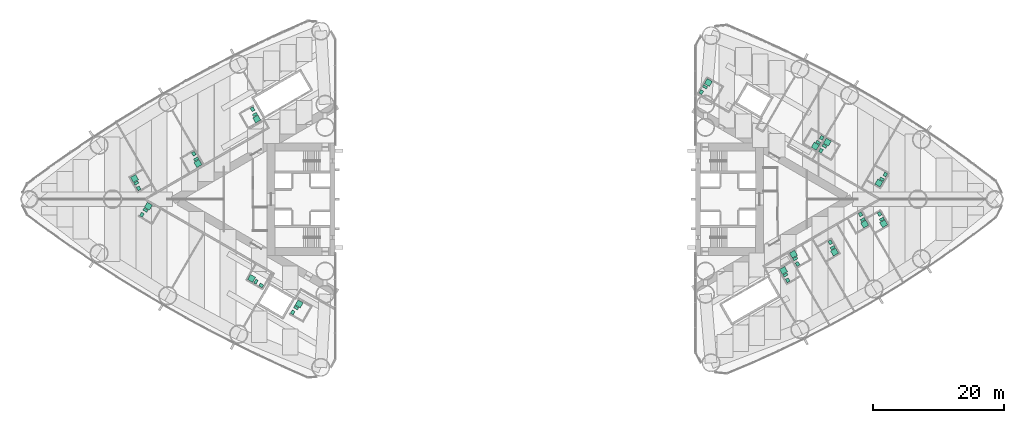
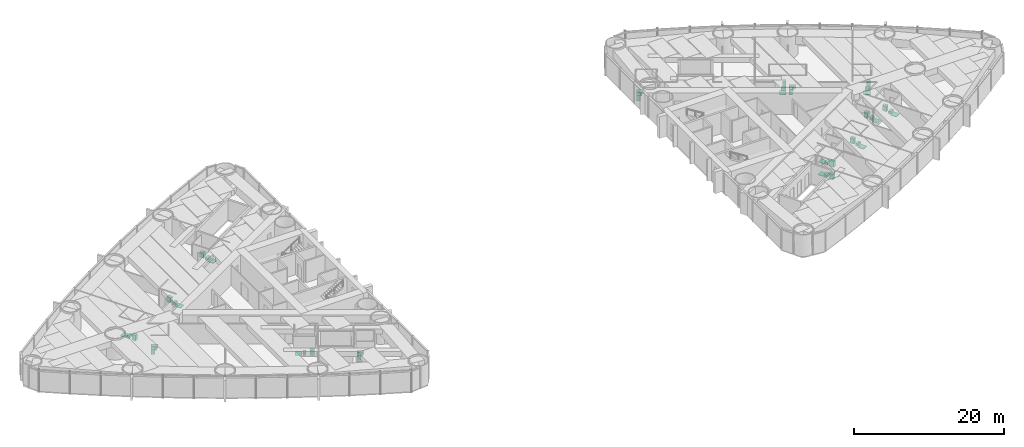
# One storey, part 19 of 19: 19 sanitary terminals.
"""IFC4 building model written with IfcOpenShell, lengths in metres."""

from ifc_helpers import new_model, si_unit, direction, frame, origin, origin_2d, place, context, subcontext, project, spatial, rectangle, extrude, material, type_object, element, save


model = new_model("IFC4")

# Units and contexts
model_context = context("Model", 3, precision=1e-05, world=origin(), true_north=direction((0.0, 1.0)))
body_context = subcontext(model_context, "Body", "Model", "MODEL_VIEW")
ifc_project = project(units=[si_unit("LENGTHUNIT", "METRE"), si_unit("AREAUNIT", "SQUARE_METRE"), si_unit("VOLUMEUNIT", "CUBIC_METRE"), si_unit("PLANEANGLEUNIT", "RADIAN"), si_unit("MASSUNIT", "GRAM", prefix="KILO")], contexts=[model_context])

# Site, building, storey
site_placement = place(None, origin())
site = spatial("IfcSite", under=ifc_project, at=site_placement, CompositionType="ELEMENT")
building_placement = place(site_placement, origin())
building = spatial("IfcBuilding", under=site, at=building_placement, Name="Lancet Gate Hotel", CompositionType="ELEMENT")
storey_placement = place(building_placement, frame((0.0, 0.0, 63.5)))
storey = spatial("IfcBuildingStorey", under=building, at=storey_placement, Name="L16", CompositionType="ELEMENT", Elevation=63.5)

# Sanitary terminals
ifc_material_1 = material(Name="Vitreous china sanitary ware")
sanitary_terminal_type_1 = type_object("IfcSanitaryTerminalType", Name="En-suite sanitary set (shower, WC, basin)", PredefinedType="USERDEFINED", material=ifc_material_1)
sanitary_terminal_1_placement = place(storey_placement, frame((-48.470458984375, 5.448974609375, 0.0), z_axis=(0.0, 0.0, 1.0), x_axis=(1.0, 0.0, 0.0)))
element("IfcSanitaryTerminal", 1, at=sanitary_terminal_1_placement, inside=storey, type_object=sanitary_terminal_type_1, Name="En-suite sanitary set (shower, WC, basin) 1603", ObjectType="EN-SUITE SANITARY SET", PredefinedType="USERDEFINED", context=body_context, shape_type="SweptSolid", body=[
    extrude(rectangle(XDim=0.89990234375, YDim=0.89990234375, at=origin_2d()), frame((0.0, 0.0, 0.0), z_axis=(0.0, 0.0, 1.0), x_axis=(0.5, -0.866025403784, 0.0)), (0.0, 0.0, 1.0), 0.050048828125),
    extrude(rectangle(XDim=0.39990234375, YDim=0.699951171875, at=origin_2d()), frame((-0.2783203125, 0.68212890625, 0.0), z_axis=(0.0, 0.0, 1.0), x_axis=(0.5, -0.866025403784, 0.0)), (0.0, 0.0, 1.0), 0.39990234375),
    extrude(rectangle(XDim=0.60009765625, YDim=0.5, at=origin_2d()), frame((-0.6318359375, 1.494384765625, 0.0), z_axis=(0.0, 0.0, 1.0), x_axis=(0.5, -0.866025403784, 0.0)), (0.0, 0.0, 1.0), 0.85009765625),
])
sanitary_terminal_2_placement = place(storey_placement, frame((-58.160888671875, 3.156494140625, 0.0), z_axis=(0.0, 0.0, 1.0), x_axis=(1.0, 0.0, 0.0)))
element("IfcSanitaryTerminal", 2, at=sanitary_terminal_2_placement, inside=storey, type_object=sanitary_terminal_type_1, Name="En-suite sanitary set (shower, WC, basin) 1604", ObjectType="EN-SUITE SANITARY SET", PredefinedType="USERDEFINED", context=body_context, shape_type="SweptSolid", body=[
    extrude(rectangle(XDim=0.89990234375, YDim=0.89990234375, at=origin_2d()), frame((0.0, 0.0, 0.0), z_axis=(0.0, 0.0, 1.0), x_axis=(-0.5, 0.866025403784, 0.0)), (0.0, 0.0, 1.0), 0.050048828125),
    extrude(rectangle(XDim=0.39990234375, YDim=0.699951171875, at=origin_2d()), frame((0.278564453125, -0.68212890625, 0.0), z_axis=(0.0, 0.0, 1.0), x_axis=(-0.5, 0.866025403784, 0.0)), (0.0, 0.0, 1.0), 0.39990234375),
    extrude(rectangle(XDim=0.60009765625, YDim=0.5, at=origin_2d()), frame((0.6318359375, -1.494140625, 0.0), z_axis=(0.0, 0.0, 1.0), x_axis=(-0.5, 0.866025403784, 0.0)), (0.0, 0.0, 1.0), 0.85009765625),
])
sanitary_terminal_3_placement = place(storey_placement, frame((-56.0458984375, -1.0751953125, 0.0), z_axis=(0.0, 0.0, 1.0), x_axis=(1.0, 0.0, 0.0)))
element("IfcSanitaryTerminal", 3, at=sanitary_terminal_3_placement, inside=storey, type_object=sanitary_terminal_type_1, Name="En-suite sanitary set (shower, WC, basin) 1605", ObjectType="EN-SUITE SANITARY SET", PredefinedType="USERDEFINED", context=body_context, shape_type="SweptSolid", body=[
    extrude(rectangle(XDim=0.89990234375, YDim=0.89990234375, at=origin_2d()), frame((0.0, 0.0, 0.0), z_axis=(0.0, 0.0, 1.0), x_axis=(0.5, 0.866025403784, 0.0)), (0.0, 0.0, 1.0), 0.050048828125),
    extrude(rectangle(XDim=0.39990234375, YDim=0.699951171875, at=origin_2d()), frame((-0.45166015625, -0.582275390625, 0.0), z_axis=(0.0, 0.0, 1.0), x_axis=(0.5, 0.866025403784, 0.0)), (0.0, 0.0, 1.0), 0.39990234375),
    extrude(rectangle(XDim=0.60009765625, YDim=0.5, at=origin_2d()), frame((-0.978271484375, -1.294189453125, 0.0), z_axis=(0.0, 0.0, 1.0), x_axis=(0.5, 0.866025403784, 0.0)), (0.0, 0.0, 1.0), 0.85009765625),
])
sanitary_terminal_4_placement = place(storey_placement, frame((-39.488525390625, 12.251220703125, 0.0), z_axis=(0.0, 0.0, 1.0), x_axis=(1.0, 0.0, 0.0)))
element("IfcSanitaryTerminal", 4, at=sanitary_terminal_4_placement, inside=storey, type_object=sanitary_terminal_type_1, Name="En-suite sanitary set (shower, WC, basin) 1602", ObjectType="EN-SUITE SANITARY SET", PredefinedType="USERDEFINED", context=body_context, shape_type="SweptSolid", body=[
    extrude(rectangle(XDim=0.89990234375, YDim=0.89990234375, at=origin_2d()), frame((0.0, 0.0, 0.0), z_axis=(0.0, 0.0, 1.0), x_axis=(0.5, -0.866025403784, 0.0)), (0.0, 0.0, 1.0), 0.050048828125),
    extrude(rectangle(XDim=0.39990234375, YDim=0.699951171875, at=origin_2d()), frame((-0.2783203125, 0.68212890625, 0.0), z_axis=(0.0, 0.0, 1.0), x_axis=(0.5, -0.866025403784, 0.0)), (0.0, 0.0, 1.0), 0.39990234375),
    extrude(rectangle(XDim=0.60009765625, YDim=0.5, at=origin_2d()), frame((-0.6318359375, 1.494384765625, 0.0), z_axis=(0.0, 0.0, 1.0), x_axis=(0.5, -0.866025403784, 0.0)), (0.0, 0.0, 1.0), 0.85009765625),
])
sanitary_terminal_5_placement = place(storey_placement, frame((-33.0107421875, -15.9912109375, 0.0), z_axis=(0.0, 0.0, 1.0), x_axis=(1.0, 0.0, 0.0)))
element("IfcSanitaryTerminal", 5, at=sanitary_terminal_5_placement, inside=storey, type_object=sanitary_terminal_type_1, Name="En-suite sanitary set (shower, WC, basin) 1608", ObjectType="EN-SUITE SANITARY SET", PredefinedType="USERDEFINED", context=body_context, shape_type="SweptSolid", body=[
    extrude(rectangle(XDim=0.89990234375, YDim=0.89990234375, at=origin_2d()), frame((0.0, 0.0, 0.0), z_axis=(0.0, 0.0, 1.0), x_axis=(0.5, 0.866025403784, 0.0)), (0.0, 0.0, 1.0), 0.050048828125),
    extrude(rectangle(XDim=0.39990234375, YDim=0.699951171875, at=origin_2d()), frame((-0.45166015625, -0.582275390625, 0.0), z_axis=(0.0, 0.0, 1.0), x_axis=(0.5, 0.866025403784, 0.0)), (0.0, 0.0, 1.0), 0.39990234375),
    extrude(rectangle(XDim=0.60009765625, YDim=0.5, at=origin_2d()), frame((-0.978271484375, -1.294189453125, 0.0), z_axis=(0.0, 0.0, 1.0), x_axis=(0.5, 0.866025403784, 0.0)), (0.0, 0.0, 1.0), 0.85009765625),
])
sanitary_terminal_6_placement = place(storey_placement, frame((42.490966796875, -8.401123046875, 0.0), z_axis=(0.0, 0.0, 1.0), x_axis=(1.0, 0.0, 0.0)))
element("IfcSanitaryTerminal", 6, at=sanitary_terminal_6_placement, inside=storey, type_object=sanitary_terminal_type_1, Name="En-suite sanitary set (shower, WC, basin) 1654", ObjectType="EN-SUITE SANITARY SET", PredefinedType="USERDEFINED", context=body_context, shape_type="SweptSolid", body=[
    extrude(rectangle(XDim=0.89990234375, YDim=0.89990234375, at=origin_2d()), frame((0.0, 0.0, 0.0), z_axis=(0.0, 0.0, 1.0), x_axis=(-0.5, 0.866025403784, 0.0)), (0.0, 0.0, 1.0), 0.050048828125),
    extrude(rectangle(XDim=0.39990234375, YDim=0.699951171875, at=origin_2d()), frame((0.2783203125, -0.682373046875, 0.0), z_axis=(0.0, 0.0, 1.0), x_axis=(-0.5, 0.866025403784, 0.0)), (0.0, 0.0, 1.0), 0.39990234375),
    extrude(rectangle(XDim=0.60009765625, YDim=0.5, at=origin_2d()), frame((0.6318359375, -1.494384765625, 0.0), z_axis=(0.0, 0.0, 1.0), x_axis=(-0.5, 0.866025403784, 0.0)), (0.0, 0.0, 1.0), 0.85009765625),
])
sanitary_terminal_7_placement = place(storey_placement, frame((48.767578125, -8.07958984375, 0.0), z_axis=(0.0, 0.0, 1.0), x_axis=(1.0, 0.0, 0.0)))
element("IfcSanitaryTerminal", 7, at=sanitary_terminal_7_placement, inside=storey, type_object=sanitary_terminal_type_1, Name="En-suite sanitary set (shower, WC, basin) 1655", ObjectType="EN-SUITE SANITARY SET", PredefinedType="USERDEFINED", context=body_context, shape_type="SweptSolid", body=[
    extrude(rectangle(XDim=0.89990234375, YDim=0.89990234375, at=origin_2d()), frame((0.0, 0.0, 0.0), z_axis=(0.0, 0.0, 1.0), x_axis=(0.5, -0.866025403784, 0.0)), (0.0, 0.0, 1.0), 0.050048828125),
    extrude(rectangle(XDim=0.39990234375, YDim=0.699951171875, at=origin_2d()), frame((-0.2783203125, 0.68212890625, 0.0), z_axis=(0.0, 0.0, 1.0), x_axis=(0.5, -0.866025403784, 0.0)), (0.0, 0.0, 1.0), 0.39990234375),
    extrude(rectangle(XDim=0.60009765625, YDim=0.5, at=origin_2d()), frame((-0.631591796875, 1.494140625, 0.0), z_axis=(0.0, 0.0, 1.0), x_axis=(0.5, -0.866025403784, 0.0)), (0.0, 0.0, 1.0), 0.85009765625),
])
sanitary_terminal_8_placement = place(storey_placement, frame((53.37109375, -3.805419921875, 0.0), z_axis=(0.0, 0.0, 1.0), x_axis=(1.0, 0.0, 0.0)))
element("IfcSanitaryTerminal", 8, at=sanitary_terminal_8_placement, inside=storey, type_object=sanitary_terminal_type_1, Name="En-suite sanitary set (shower, WC, basin) 1656", ObjectType="EN-SUITE SANITARY SET", PredefinedType="USERDEFINED", context=body_context, shape_type="SweptSolid", body=[
    extrude(rectangle(XDim=0.89990234375, YDim=0.89990234375, at=origin_2d()), frame((0.0, 0.0, 0.0), z_axis=(0.0, 0.0, 1.0), x_axis=(0.5, -0.866025403784, 0.0)), (0.0, 0.0, 1.0), 0.050048828125),
    extrude(rectangle(XDim=0.39990234375, YDim=0.699951171875, at=origin_2d()), frame((-0.2783203125, 0.68212890625, 0.0), z_axis=(0.0, 0.0, 1.0), x_axis=(0.5, -0.866025403784, 0.0)), (0.0, 0.0, 1.0), 0.39990234375),
    extrude(rectangle(XDim=0.60009765625, YDim=0.5, at=origin_2d()), frame((-0.6318359375, 1.494384765625, 0.0), z_axis=(0.0, 0.0, 1.0), x_axis=(0.5, -0.866025403784, 0.0)), (0.0, 0.0, 1.0), 0.85009765625),
])
sanitary_terminal_9_placement = place(storey_placement, frame((56.279541015625, -3.742919921875, 0.0), z_axis=(0.0, 0.0, 1.0), x_axis=(1.0, 0.0, 0.0)))
element("IfcSanitaryTerminal", 9, at=sanitary_terminal_9_placement, inside=storey, type_object=sanitary_terminal_type_1, Name="En-suite sanitary set (shower, WC, basin) 1657", ObjectType="EN-SUITE SANITARY SET", PredefinedType="USERDEFINED", context=body_context, shape_type="SweptSolid", body=[
    extrude(rectangle(XDim=0.89990234375, YDim=0.89990234375, at=origin_2d()), frame((0.0, 0.0, 0.0), z_axis=(0.0, 0.0, 1.0), x_axis=(0.5, -0.866025403784, 0.0)), (0.0, 0.0, 1.0), 0.050048828125),
    extrude(rectangle(XDim=0.39990234375, YDim=0.699951171875, at=origin_2d()), frame((-0.2783203125, 0.682373046875, 0.0), z_axis=(0.0, 0.0, 1.0), x_axis=(0.5, -0.866025403784, 0.0)), (0.0, 0.0, 1.0), 0.39990234375),
    extrude(rectangle(XDim=0.60009765625, YDim=0.5, at=origin_2d()), frame((-0.6318359375, 1.494384765625, 0.0), z_axis=(0.0, 0.0, 1.0), x_axis=(0.5, -0.866025403784, 0.0)), (0.0, 0.0, 1.0), 0.85009765625),
])
sanitary_terminal_10_placement = place(storey_placement, frame((55.549560546875, 2.478515625, 0.0), z_axis=(0.0, 0.0, 1.0), x_axis=(1.0, 0.0, 0.0)))
element("IfcSanitaryTerminal", 10, at=sanitary_terminal_10_placement, inside=storey, type_object=sanitary_terminal_type_1, Name="En-suite sanitary set (shower, WC, basin) 1658", ObjectType="EN-SUITE SANITARY SET", PredefinedType="USERDEFINED", context=body_context, shape_type="SweptSolid", body=[
    extrude(rectangle(XDim=0.89990234375, YDim=0.89990234375, at=origin_2d()), frame((0.0, 0.0, 0.0), z_axis=(0.0, 0.0, 1.0), x_axis=(-0.5, -0.866025403784, 0.0)), (0.0, 0.0, 1.0), 0.050048828125),
    extrude(rectangle(XDim=0.39990234375, YDim=0.699951171875, at=origin_2d()), frame((0.45166015625, 0.58203125, 0.0), z_axis=(0.0, 0.0, 1.0), x_axis=(-0.5, -0.866025403784, 0.0)), (0.0, 0.0, 1.0), 0.39990234375),
    extrude(rectangle(XDim=0.60009765625, YDim=0.5, at=origin_2d()), frame((0.97802734375, 1.294189453125, 0.0), z_axis=(0.0, 0.0, 1.0), x_axis=(-0.5, -0.866025403784, 0.0)), (0.0, 0.0, 1.0), 0.85009765625),
])
sanitary_terminal_11_placement = place(storey_placement, frame((47.676513671875, 8.709716796875, 0.0), z_axis=(0.0, 0.0, 1.0), x_axis=(1.0, 0.0, 0.0)))
element("IfcSanitaryTerminal", 11, at=sanitary_terminal_11_placement, inside=storey, type_object=sanitary_terminal_type_1, Name="En-suite sanitary set (shower, WC, basin) 1659", ObjectType="EN-SUITE SANITARY SET", PredefinedType="USERDEFINED", context=body_context, shape_type="SweptSolid", body=[
    extrude(rectangle(XDim=0.89990234375, YDim=0.89990234375, at=origin_2d()), frame((0.0, 0.0, 0.0), z_axis=(0.0, 0.0, 1.0), x_axis=(0.5, 0.866025403784, 0.0)), (0.0, 0.0, 1.0), 0.050048828125),
    extrude(rectangle(XDim=0.39990234375, YDim=0.699951171875, at=origin_2d()), frame((-0.45166015625, -0.582275390625, 0.0), z_axis=(0.0, 0.0, 1.0), x_axis=(0.5, 0.866025403784, 0.0)), (0.0, 0.0, 1.0), 0.39990234375),
    extrude(rectangle(XDim=0.60009765625, YDim=0.5, at=origin_2d()), frame((-0.978271484375, -1.29443359375, 0.0), z_axis=(0.0, 0.0, 1.0), x_axis=(0.5, 0.866025403784, 0.0)), (0.0, 0.0, 1.0), 0.85009765625),
])
sanitary_terminal_12_placement = place(storey_placement, frame((45.829345703125, 8.09033203125, 0.0), z_axis=(0.0, 0.0, 1.0), x_axis=(1.0, 0.0, 0.0)))
element("IfcSanitaryTerminal", 12, at=sanitary_terminal_12_placement, inside=storey, type_object=sanitary_terminal_type_1, Name="En-suite sanitary set (shower, WC, basin) 1661", ObjectType="EN-SUITE SANITARY SET", PredefinedType="USERDEFINED", context=body_context, shape_type="SweptSolid", body=[
    extrude(rectangle(XDim=0.89990234375, YDim=0.89990234375, at=origin_2d()), frame((0.0, 0.0, 0.0), z_axis=(0.0, 0.0, 1.0), x_axis=(-0.5, -0.866025403784, 0.0)), (0.0, 0.0, 1.0), 0.050048828125),
    extrude(rectangle(XDim=0.39990234375, YDim=0.699951171875, at=origin_2d()), frame((0.45166015625, 0.582275390625, 0.0), z_axis=(0.0, 0.0, 1.0), x_axis=(-0.5, -0.866025403784, 0.0)), (0.0, 0.0, 1.0), 0.39990234375),
    extrude(rectangle(XDim=0.60009765625, YDim=0.5, at=origin_2d()), frame((0.978271484375, 1.294189453125, 0.0), z_axis=(0.0, 0.0, 1.0), x_axis=(-0.5, -0.866025403784, 0.0)), (0.0, 0.0, 1.0), 0.85009765625),
])
sanitary_terminal_13_placement = place(storey_placement, frame((40.982666015625, -10.888671875, 0.0), z_axis=(0.0, 0.0, 1.0), x_axis=(1.0, 0.0, 0.0)))
element("IfcSanitaryTerminal", 13, at=sanitary_terminal_13_placement, inside=storey, type_object=sanitary_terminal_type_1, Name="En-suite sanitary set (shower, WC, basin) 1653", ObjectType="EN-SUITE SANITARY SET", PredefinedType="USERDEFINED", context=body_context, shape_type="SweptSolid", body=[
    extrude(rectangle(XDim=0.89990234375, YDim=0.89990234375, at=origin_2d()), frame((0.0, 0.0, 0.0), z_axis=(0.0, 0.0, 1.0), x_axis=(-0.5, 0.866025403784, 0.0)), (0.0, 0.0, 1.0), 0.050048828125),
    extrude(rectangle(XDim=0.39990234375, YDim=0.699951171875, at=origin_2d()), frame((0.2783203125, -0.68212890625, 0.0), z_axis=(0.0, 0.0, 1.0), x_axis=(-0.5, 0.866025403784, 0.0)), (0.0, 0.0, 1.0), 0.39990234375),
    extrude(rectangle(XDim=0.60009765625, YDim=0.5, at=origin_2d()), frame((0.6318359375, -1.494140625, 0.0), z_axis=(0.0, 0.0, 1.0), x_axis=(-0.5, 0.866025403784, 0.0)), (0.0, 0.0, 1.0), 0.85009765625),
])
ifc_material_2 = material(Name="Stone resin shower tray", Category="masonry")
sanitary_terminal_type_2 = type_object("IfcSanitaryTerminalType", Name="Shower tray 900", PredefinedType="SHOWER", material=ifc_material_2)
for number, where, z_axis, x_axis, name in (
    (14, (-40.2763671875, -12.0966796875, 0.0), (0.0, 0.0, 1.0), (-0.866025403784, 0.5, 0.0), "Shower tray 900 1607"),
    (15, (29.490478515625, 17.82373046875, 0.0), (0.0, 0.0, 1.0), (0.5, 0.866025403784, 0.0), "Shower tray 900 1663"),
):
    element("IfcSanitaryTerminal", number, at=place(storey_placement, frame(where, z_axis=z_axis, x_axis=x_axis)), inside=storey, type_object=sanitary_terminal_type_2, Name=name, PredefinedType="SHOWER", context=body_context, shape_type="SweptSolid", body=[
        extrude(rectangle(XDim=0.89990234375, YDim=0.89990234375, at=origin_2d()), origin(), (0.0, 0.0, 1.0), 0.050048828125),
    ])
ifc_material_3 = material(Name="Vitreous china sanitary ware")
sanitary_terminal_type_3 = type_object("IfcSanitaryTerminalType", Name="Vanity basin 600", PredefinedType="WASHHANDBASIN", material=ifc_material_3)
for number, where, z_axis, x_axis, name in (
    (16, (-38.808837890625, -13.1748046875, 0.0), (0.0, 0.0, 1.0), (-0.866025403784, 0.5, 0.0), "Vanity basin 600 1607"),
    (17, (28.412353515625, 16.356201171875, 0.0), (0.0, 0.0, 1.0), (0.5, 0.866025403784, 0.0), "Vanity basin 600 1663"),
):
    element("IfcSanitaryTerminal", number, at=place(storey_placement, frame(where, z_axis=z_axis, x_axis=x_axis)), inside=storey, type_object=sanitary_terminal_type_3, Name=name, PredefinedType="WASHHANDBASIN", context=body_context, shape_type="SweptSolid", body=[
        extrude(rectangle(XDim=0.60009765625, YDim=0.5, at=origin_2d()), origin(), (0.0, 0.0, 1.0), 0.85009765625),
    ])
ifc_material_4 = material(Name="Vitreous china sanitary ware")
sanitary_terminal_type_4 = type_object("IfcSanitaryTerminalType", Name="WC pan wall hung", PredefinedType="TOILETPAN", material=ifc_material_4)
for number, where, z_axis, x_axis, name in (
    (18, (-39.607421875, -12.59814453125, 0.0), (0.0, 0.0, 1.0), (-0.866025403784, 0.5, 0.0), "WC pan wall hung 1607"),
    (19, (28.989013671875, 17.155029296875, 0.0), (0.0, 0.0, 1.0), (0.5, 0.866025403784, 0.0), "WC pan wall hung 1663"),
):
    element("IfcSanitaryTerminal", number, at=place(storey_placement, frame(where, z_axis=z_axis, x_axis=x_axis)), inside=storey, type_object=sanitary_terminal_type_4, Name=name, PredefinedType="TOILETPAN", context=body_context, shape_type="SweptSolid", body=[
        extrude(rectangle(XDim=0.39990234375, YDim=0.699951171875, at=origin_2d()), origin(), (0.0, 0.0, 1.0), 0.39990234375),
    ])

save(model, "model.ifc")
